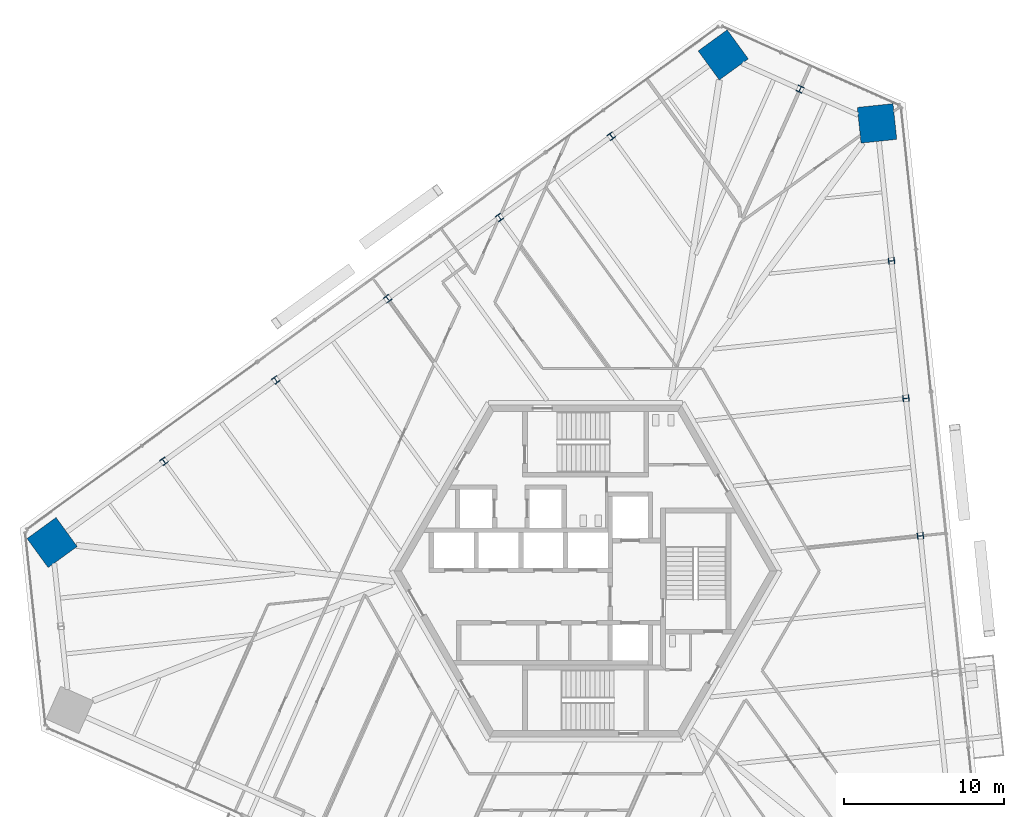
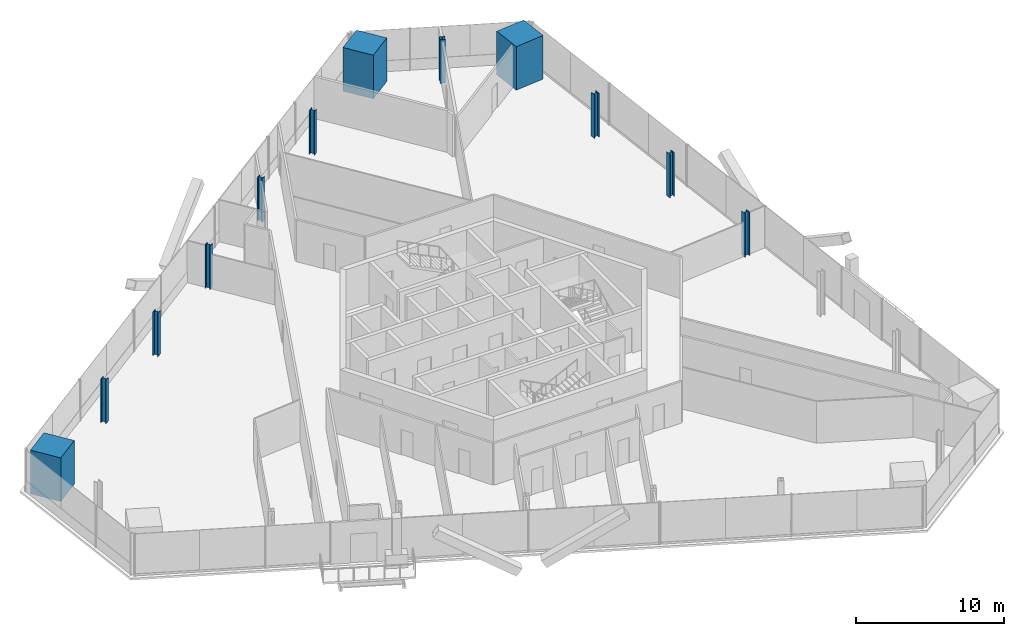
# One storey, part 2 of 19: 12 columns.
"""IFC4 building model written with IfcOpenShell, lengths in metres."""

from ifc_helpers import new_model, si_unit, direction, frame, origin, origin_2d, place, context, subcontext, project, spatial, rectangle, i_section, extrude, source, transform, mapped, material, material_profile, profile_set, type_object, element, save


model = new_model("IFC4")

# Units and contexts
model_context = context("Model", 3, precision=1e-05, world=origin(), true_north=direction((0.0, 1.0)))
body_context = subcontext(model_context, "Body", "Model", "MODEL_VIEW")
ifc_project = project(units=[si_unit("LENGTHUNIT", "METRE"), si_unit("AREAUNIT", "SQUARE_METRE"), si_unit("VOLUMEUNIT", "CUBIC_METRE"), si_unit("PLANEANGLEUNIT", "RADIAN"), si_unit("MASSUNIT", "GRAM", prefix="KILO")], contexts=[model_context])

# Site, building, storey
site_placement = place(None, origin())
site = spatial("IfcSite", under=ifc_project, at=site_placement, CompositionType="ELEMENT")
building_placement = place(site_placement, origin())
building = spatial("IfcBuilding", under=site, at=building_placement, Name="Triune Harvest Tower", CompositionType="ELEMENT")
storey_placement = place(building_placement, frame((0.0, 0.0, 76.5)))
storey = spatial("IfcBuildingStorey", under=building, at=storey_placement, Name="L18", CompositionType="ELEMENT", Elevation=76.5)

# Columns
ifc_material_1 = material(Name="Concrete 70 MPa", Category="concrete")
ifc_material_profile_1 = material_profile(ifc_material_1, rectangle(XDim=2.25, YDim=2.25, at=origin_2d()), Name="Composite 2250x2250")
ifc_profile_set_1 = profile_set([ifc_material_profile_1], Name="Concrete 70 MPa")
column_type_1 = type_object("IfcColumnType", Name="MC-2 Mega column Composite 2250x2250", PredefinedType="COLUMN", material=ifc_profile_set_1)
shared_shape_1 = source(origin(), body_context, "Body", "SweptSolid", [
    extrude(rectangle(XDim=2.25, YDim=2.25, at=origin_2d()), origin(), (0.0, 0.0, 1.0), 3.60009765625),
])
for number, where, z_axis, x_axis, name in (
    (1, (18.2607421875, 28.049072265625, 0.0), (0.0, 0.0, 1.0), (-0.104526727499, 0.994522077803, 0.0), "col/L18/M6"),
    (2, (8.625732421875, 32.3388671875, 0.0), (0.0, 0.0, 1.0), (-0.809016994375, -0.587785252292, 0.0), "col/L18/M8"),
    (3, (-33.42138671875, 1.789794921875, 0.0), (0.0, 0.0, 1.0), (-0.809016994375, -0.587785252292, 0.0), "col/L18/M14"),
):
    element("IfcColumn", number, at=place(storey_placement, frame(where, z_axis=z_axis, x_axis=x_axis)), inside=storey, type_object=column_type_1, Name=name, PredefinedType="COLUMN", context=body_context, shape_type="MappedRepresentation", body=[
        mapped(shared_shape_1, transform((0.0, 0.0, 0.0), scale=1.0)),
    ])
ifc_material_2 = material(Name="Steel ASTM A992 Gr 50", Category="steel")
ifc_material_profile_2 = material_profile(ifc_material_2, i_section(OverallWidth=0.398681640625, OverallDepth=0.393798828125, WebThickness=0.022705078125, FlangeThickness=0.03662109375, at=origin_2d()), Name="W14x193")
ifc_profile_set_2 = profile_set([ifc_material_profile_2], Name="Steel ASTM A992 Gr 50")
column_type_2 = type_object("IfcColumnType", Name="PC-2 Perimeter column W14x193", PredefinedType="COLUMN", material=ifc_profile_set_2)
shared_shape_2 = source(origin(), body_context, "Body", "SweptSolid", [
    extrude(i_section(OverallWidth=0.398681640625, OverallDepth=0.393798828125, WebThickness=0.022705078125, FlangeThickness=0.03662109375, at=origin_2d()), origin(), (0.0, 0.0, 1.0), 3.60009765625),
])
for number, where, z_axis, x_axis, name in (
    (4, (20.97705078125, 2.204833984375, 0.0), (0.0, 0.0, 1.0), (-0.104526727499, 0.994522077803, 0.0), "col/L18/P3"),
    (5, (20.071533203125, 10.819580078125, 0.0), (0.0, 0.0, 1.0), (-0.104526727499, 0.994522077803, 0.0), "col/L18/P4"),
    (6, (19.166015625, 19.434326171875, 0.0), (0.0, 0.0, 1.0), (-0.104526727499, 0.994522077803, 0.0), "col/L18/P5"),
    (7, (13.443115234375, 30.194091796875, 0.0), (0.0, 0.0, 1.0), (-0.913546877416, 0.406733454198, 0.0), "col/L18/P7"),
    (8, (1.617919921875, 27.247314453125, 0.0), (0.0, 0.0, 1.0), (-0.809016994375, -0.587785252292, 0.0), "col/L18/P9"),
    (9, (-5.389892578125, 22.15576171875, 0.0), (0.0, 0.0, 1.0), (-0.809016994375, -0.587785252292, 0.0), "col/L18/P10"),
    (10, (-12.39794921875, 17.064208984375, 0.0), (0.0, 0.0, 1.0), (-0.809016994375, -0.587785252292, 0.0), "col/L18/P11"),
    (11, (-19.40576171875, 11.97265625, 0.0), (0.0, 0.0, 1.0), (-0.809016994375, -0.587785252292, 0.0), "col/L18/P12"),
    (12, (-26.41357421875, 6.881103515625, 0.0), (0.0, 0.0, 1.0), (-0.809016994375, -0.587785252292, 0.0), "col/L18/P13"),
):
    element("IfcColumn", number, at=place(storey_placement, frame(where, z_axis=z_axis, x_axis=x_axis)), inside=storey, type_object=column_type_2, Name=name, PredefinedType="COLUMN", context=body_context, shape_type="MappedRepresentation", body=[
        mapped(shared_shape_2, transform((0.0, 0.0, 0.0), scale=1.0)),
    ])

save(model, "model.ifc")
